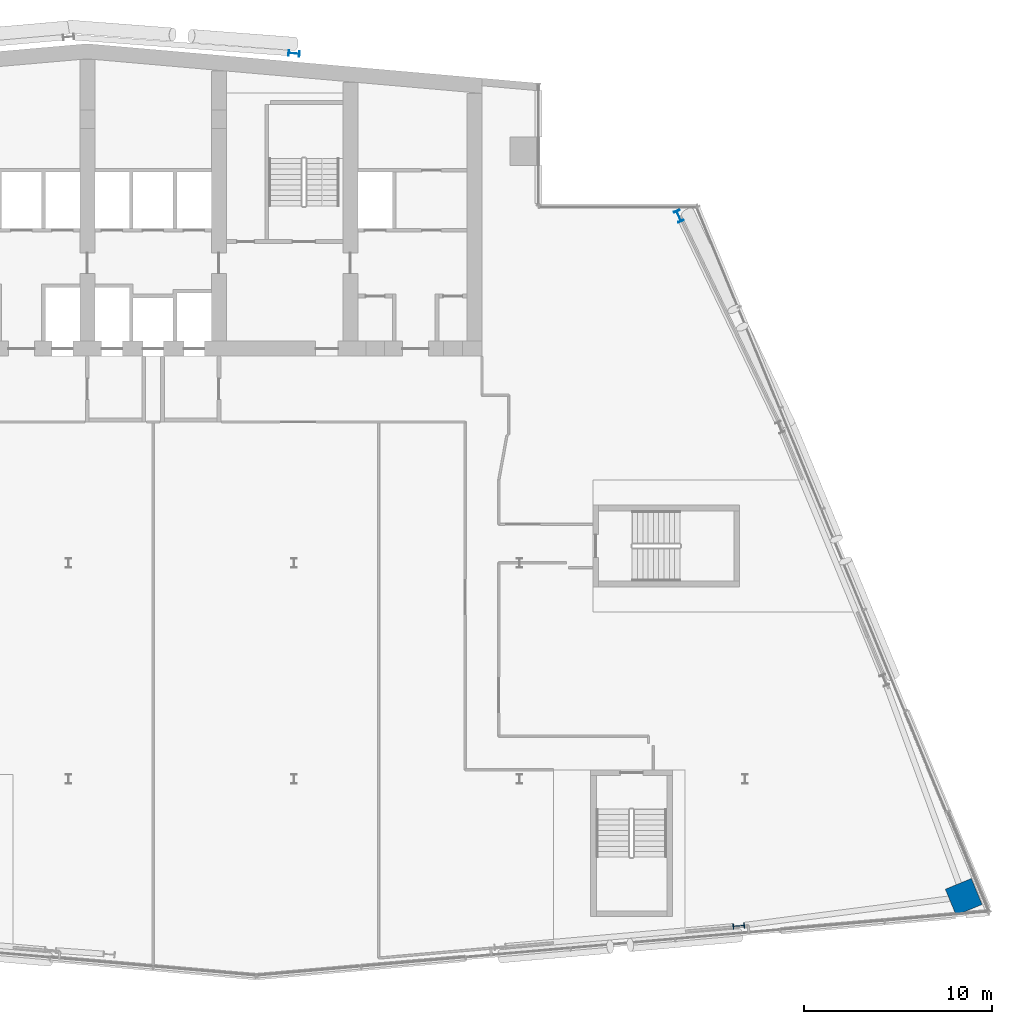
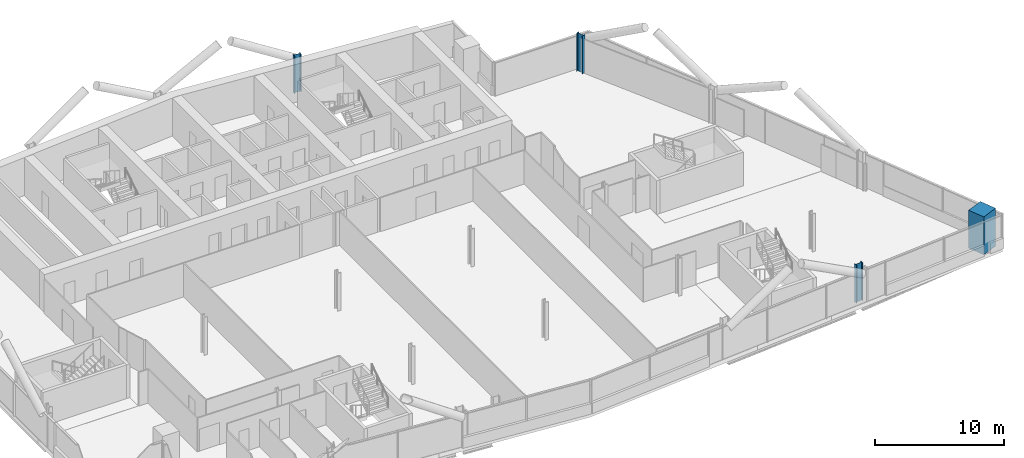
# One storey, part 4 of 26: 4 columns.
"""IFC4 building model written with IfcOpenShell, lengths in metres."""

from ifc_helpers import new_model, si_unit, direction, frame, origin, origin_2d, place, context, subcontext, project, spatial, rectangle, i_section, extrude, material, material_profile, profile_set, type_object, element, save


model = new_model("IFC4")

# Units and contexts
model_context = context("Model", 3, precision=1e-05, world=origin(), true_north=direction((0.0, 1.0)))
body_context = subcontext(model_context, "Body", "Model", "MODEL_VIEW")
ifc_project = project(units=[si_unit("LENGTHUNIT", "METRE"), si_unit("AREAUNIT", "SQUARE_METRE"), si_unit("VOLUMEUNIT", "CUBIC_METRE"), si_unit("PLANEANGLEUNIT", "RADIAN"), si_unit("MASSUNIT", "GRAM", prefix="KILO")], contexts=[model_context])

# Site, building, storey
site_placement = place(None, origin())
site = spatial("IfcSite", under=ifc_project, at=site_placement, CompositionType="ELEMENT")
building_placement = place(site_placement, origin())
building = spatial("IfcBuilding", under=site, at=building_placement, Name="Wharfspan Tower", CompositionType="ELEMENT")
storey_placement = place(building_placement, frame((0.0, 0.0, 177.100098)))
storey = spatial("IfcBuildingStorey", under=building, at=storey_placement, Name="L43", CompositionType="ELEMENT", Elevation=177.100098)

# Columns
ifc_material_1 = material(Name="Steel S355J2", Category="steel")
ifc_material_profile_1 = material_profile(ifc_material_1, i_section(OverallWidth=0.300049, OverallDepth=0.600098, WebThickness=0.015381, FlangeThickness=0.030029, FilletRadius=0.0271, at=origin_2d()))
ifc_profile_set_1 = profile_set([ifc_material_profile_1], Name="Steel S355J2")
column_type_1 = type_object("IfcColumnType", Name="Column HEB 600", PredefinedType="COLUMN", material=ifc_profile_set_1)
column_1_placement = place(storey_placement, frame((48.0, 50.112305, 0.0), z_axis=(0.0, 0.0, 1.0), x_axis=(0.087156, 0.996198, 0.0)))
element("IfcColumn", 1, at=column_1_placement, inside=storey, type_object=column_type_1, Name="Rear column R.3 L43", PredefinedType="COLUMN", context=body_context, shape_type="SweptSolid", body=[
    extrude(i_section(OverallWidth=0.300049, OverallDepth=0.600098, WebThickness=0.015381, FlangeThickness=0.030029, FilletRadius=0.0271, at=origin_2d()), origin(), (0.0, 0.0, 1.0), 3.599854),
])
ifc_material_profile_2 = material_profile(ifc_material_1, i_section(OverallWidth=0.304932, OverallDepth=0.620117, WebThickness=0.020996, FlangeThickness=0.040039, FilletRadius=0.0271, at=origin_2d()))
ifc_profile_set_2 = profile_set([ifc_material_profile_2], Name="Steel S355J2")
column_type_2 = type_object("IfcColumnType", Name="Column HEM 600", PredefinedType="COLUMN", material=ifc_profile_set_2)
for number, where, z_axis, x_axis, name in (
    (2, (71.661865, 3.684814, 0.0), (0.0, 0.0, 1.0), (0.087156, -0.996198, 0.0), "Perimeter column PS2.2 L43"),
    (3, (68.471924, 41.450439, 0.0), (0.0, 0.0, 1.0), (0.924325, 0.381602, 0.0), "Perimeter column PE.3 L43"),
):
    element("IfcColumn", number, at=place(storey_placement, frame(where, z_axis=z_axis, x_axis=x_axis)), inside=storey, type_object=column_type_2, Name=name, PredefinedType="COLUMN", context=body_context, shape_type="SweptSolid", body=[
        extrude(i_section(OverallWidth=0.304932, OverallDepth=0.620117, WebThickness=0.020996, FlangeThickness=0.040039, FilletRadius=0.0271, at=origin_2d()), origin(), (0.0, 0.0, 1.0), 3.599854),
    ])
ifc_material_2 = material(Name="Concrete C60/75", Category="concrete")
ifc_material_profile_3 = material_profile(ifc_material_2, rectangle(XDim=1.5, YDim=1.5, at=origin_2d()))
ifc_profile_set_3 = profile_set([ifc_material_profile_3], Name="Concrete C60/75")
column_type_3 = type_object("IfcColumnType", Name="Mega column 1500 C60/75", PredefinedType="COLUMN", material=ifc_profile_set_3)
column_2_placement = place(storey_placement, frame((83.632568, 5.230713, 0.0), z_axis=(0.0, 0.0, 1.0), x_axis=(-0.381602, 0.924325, 0.0)))
element("IfcColumn", 4, at=column_2_placement, inside=storey, type_object=column_type_3, Name="Mega column MC4 L43", PredefinedType="COLUMN", context=body_context, shape_type="SweptSolid", body=[
    extrude(rectangle(XDim=1.5, YDim=1.5, at=origin_2d()), origin(), (0.0, 0.0, 1.0), 3.599854),
])

save(model, "model.ifc")
